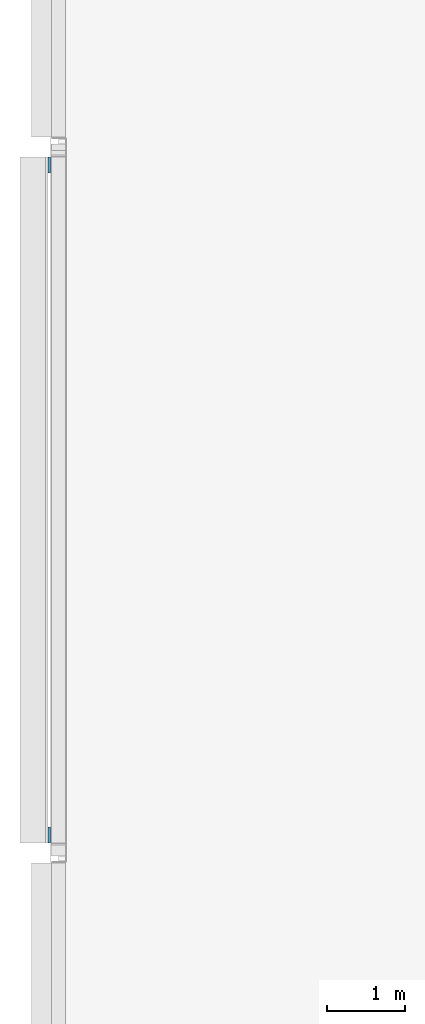
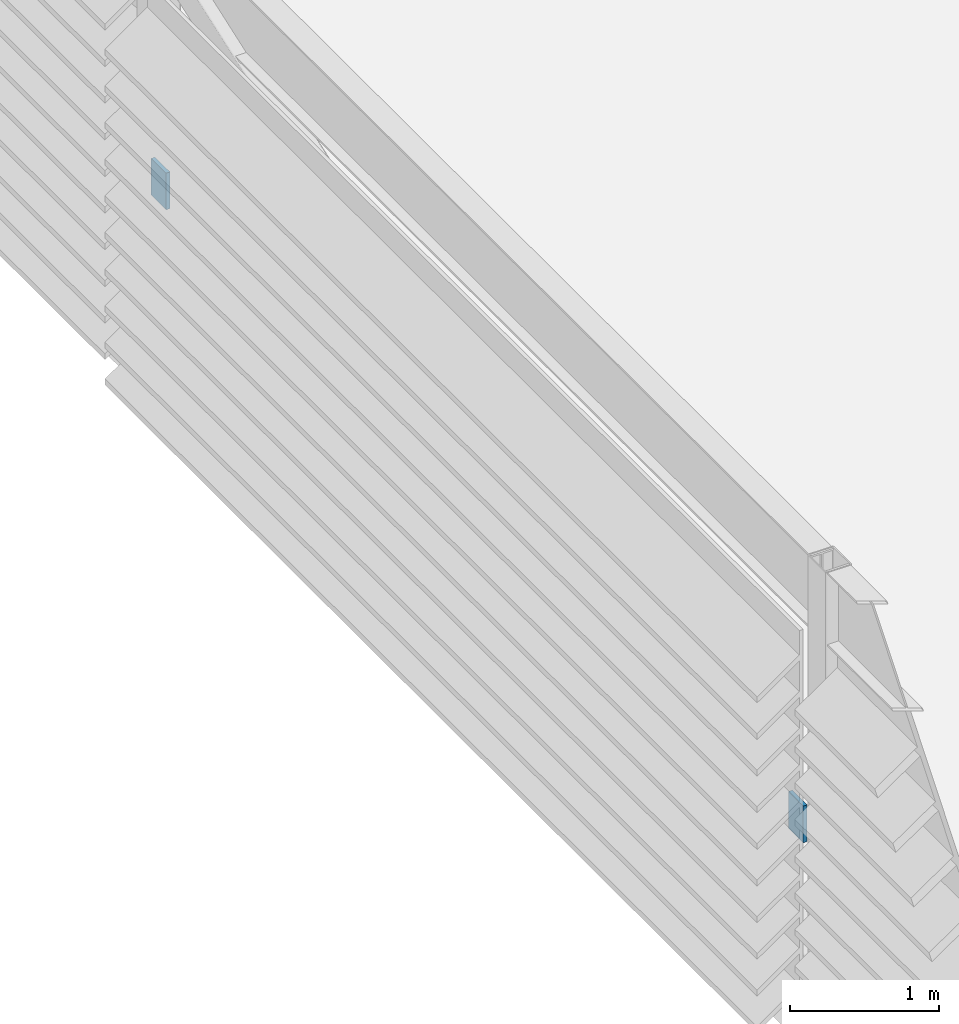
# One storey, part 20 of 28: 2 discrete accessories.
"""IFC4 building model written with IfcOpenShell, lengths in metres."""

from ifc_helpers import new_model, si_unit, direction, frame, origin, origin_2d, place, context, subcontext, project, spatial, rectangle, extrude, material, type_object, element, save


model = new_model("IFC4")

# Units and contexts
model_context = context("Model", 3, precision=1e-05, world=origin(), true_north=direction((0.0, 1.0)))
body_context = subcontext(model_context, "Body", "Model", "MODEL_VIEW")
ifc_project = project(units=[si_unit("LENGTHUNIT", "METRE"), si_unit("AREAUNIT", "SQUARE_METRE"), si_unit("VOLUMEUNIT", "CUBIC_METRE"), si_unit("PLANEANGLEUNIT", "RADIAN"), si_unit("MASSUNIT", "GRAM", prefix="KILO")], contexts=[model_context])

# Site, building, storey
site_placement = place(None, origin())
site = spatial("IfcSite", under=ifc_project, at=site_placement, CompositionType="ELEMENT")
building_placement = place(site_placement, origin())
building = spatial("IfcBuilding", under=site, at=building_placement, Name="Madar Terraces", CompositionType="ELEMENT")
storey_placement = place(building_placement, frame((0.0, 0.0, 305.89990234375)))
storey = spatial("IfcBuildingStorey", under=building, at=storey_placement, Name="L79", CompositionType="ELEMENT", Elevation=305.89990234375)

# Discrete accessories
ifc_material = material(Name="Steel, galvanised", Category="steel")
discrete_accessory_type = type_object("IfcDiscreteAccessoryType", Name="Louvre bank bracket", PredefinedType="BRACKET", material=ifc_material)
for number, where, z_axis, x_axis, name in (
    (1, (1.08349609375, 32.77294921875, 1.44921875), (0.0, 0.0, 1.0), (0.0, -1.0, 0.0), "Louvre bank bracket"),
    (2, (1.08349609375, 24.22705078125, 1.44921875), (0.0, 0.0, 1.0), (0.0, -1.0, 0.0), "Louvre bank bracket"),
):
    element("IfcDiscreteAccessory", number, at=place(storey_placement, frame(where, z_axis=z_axis, x_axis=x_axis)), inside=storey, type_object=discrete_accessory_type, Name=name, PredefinedType="BRACKET", context=body_context, shape_type="SweptSolid", body=[
        extrude(rectangle(XDim=0.199951171875, YDim=0.030029296875, at=origin_2d()), origin(), (0.0, 0.0, 1.0), 0.300048828125),
    ])

save(model, "model.ifc")
